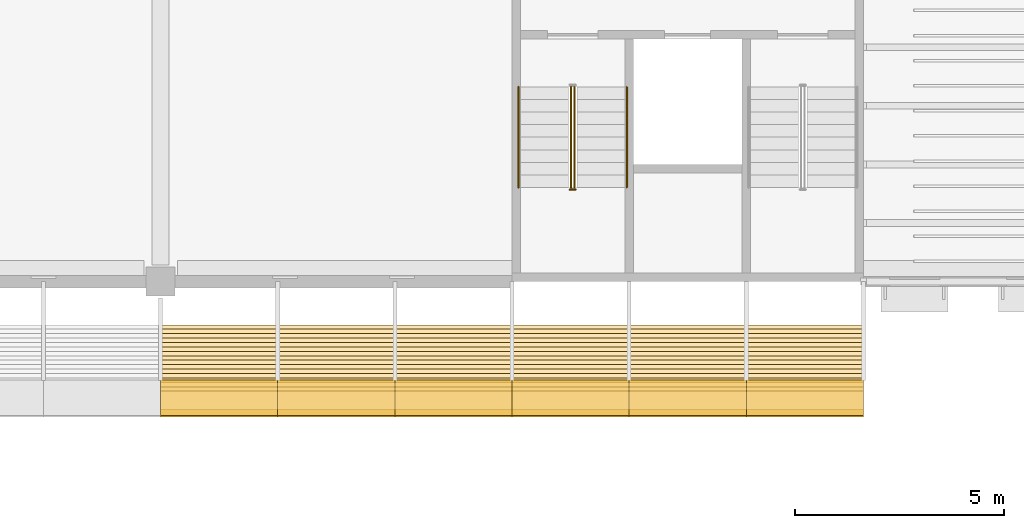
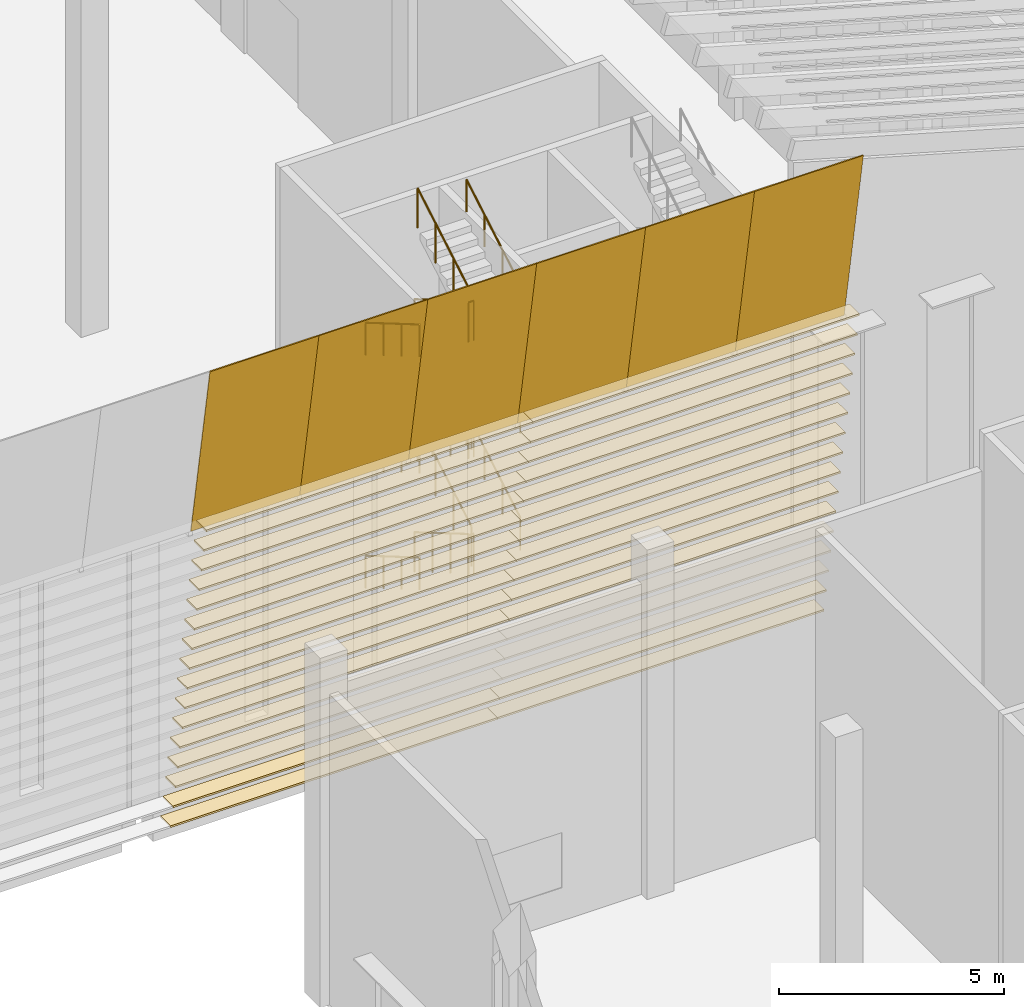
# One storey, part 110 of 114: 38 coverings, 15 railings.
"""IFC4 building model written with IfcOpenShell, lengths in metres."""

from ifc_helpers import new_model, si_unit, direction, frame, origin, origin_2d, place, context, subcontext, project, spatial, polyline, rectangle, circle, outline, extrude, material, layer, layer_set, material_profile, profile_set, type_object, element, save


model = new_model("IFC4")

# Units and contexts
model_context = context("Model", 3, precision=1e-05, world=origin(), true_north=direction((0.0, 1.0)))
body_context = subcontext(model_context, "Body", "Model", "MODEL_VIEW")
ifc_project = project(units=[si_unit("LENGTHUNIT", "METRE"), si_unit("AREAUNIT", "SQUARE_METRE"), si_unit("VOLUMEUNIT", "CUBIC_METRE"), si_unit("PLANEANGLEUNIT", "RADIAN"), si_unit("MASSUNIT", "GRAM", prefix="KILO")], contexts=[model_context])

# Site, building, storey
site_placement = place(None, origin())
site = spatial("IfcSite", under=ifc_project, at=site_placement, CompositionType="ELEMENT")
building_placement = place(site_placement, origin())
building = spatial("IfcBuilding", under=site, at=building_placement, Name="Almond Square Museum", CompositionType="ELEMENT")
storey_placement = place(building_placement, frame((0.0, 0.0, 10.5)))
storey = spatial("IfcBuildingStorey", under=building, at=storey_placement, Name="L02", CompositionType="ELEMENT", Elevation=10.5)

# Coverings
ifc_material_1 = material(Name="Cedar timber louvre board", Category="wood")
ifc_material_profile = material_profile(ifc_material_1, rectangle(XDim=0.449951171875, YDim=0.050048828125, at=origin_2d()))
ifc_profile_set = profile_set([ifc_material_profile], Name="Cedar timber louvre board")
covering_type_1 = type_object("IfcCoveringType", Name="Louvre board 450 x 50", PredefinedType="CLADDING", material=ifc_profile_set)
covering_1_placement = place(storey_placement, frame((132.0, 49.141357421875, 0.39990234375), z_axis=(1.0, 0.0, 0.0), x_axis=(0.0, 1.0, 0.0)))
element("IfcCovering", 1, at=covering_1_placement, inside=storey, type_object=covering_type_1, Name="Louvre board S07.04", PredefinedType="CLADDING", context=body_context, shape_type="SweptSolid", body=[
    extrude(rectangle(XDim=0.449951171875, YDim=0.050048828125, at=origin_2d()), origin(), (0.0, 0.0, 1.0), 8.39990234375),
])
covering_2_placement = place(storey_placement, frame((140.39990234375, 49.141357421875, 0.39990234375), z_axis=(1.0, 0.0, 0.0), x_axis=(0.0, 1.0, 0.0)))
element("IfcCovering", 2, at=covering_2_placement, inside=storey, type_object=covering_type_1, Name="Louvre board S07.05", PredefinedType="CLADDING", context=body_context, shape_type="SweptSolid", body=[
    extrude(rectangle(XDim=0.449951171875, YDim=0.050048828125, at=origin_2d()), origin(), (0.0, 0.0, 1.0), 8.400146484375),
])
covering_3_placement = place(storey_placement, frame((132.0, 49.03564453125, 1.0), z_axis=(1.0, 0.0, 0.0), x_axis=(0.0, 1.0, 0.0)))
element("IfcCovering", 3, at=covering_3_placement, inside=storey, type_object=covering_type_1, Name="Louvre board S08.04", PredefinedType="CLADDING", context=body_context, shape_type="SweptSolid", body=[
    extrude(rectangle(XDim=0.449951171875, YDim=0.050048828125, at=origin_2d()), origin(), (0.0, 0.0, 1.0), 8.39990234375),
])
covering_4_placement = place(storey_placement, frame((140.39990234375, 49.03564453125, 1.0), z_axis=(1.0, 0.0, 0.0), x_axis=(0.0, 1.0, 0.0)))
element("IfcCovering", 4, at=covering_4_placement, inside=storey, type_object=covering_type_1, Name="Louvre board S08.05", PredefinedType="CLADDING", context=body_context, shape_type="SweptSolid", body=[
    extrude(rectangle(XDim=0.449951171875, YDim=0.050048828125, at=origin_2d()), origin(), (0.0, 0.0, 1.0), 8.400146484375),
])
covering_5_placement = place(storey_placement, frame((132.0, 48.9296875, 1.60009765625), z_axis=(1.0, 0.0, 0.0), x_axis=(0.0, 1.0, 0.0)))
element("IfcCovering", 5, at=covering_5_placement, inside=storey, type_object=covering_type_1, Name="Louvre board S09.04", PredefinedType="CLADDING", context=body_context, shape_type="SweptSolid", body=[
    extrude(rectangle(XDim=0.449951171875, YDim=0.050048828125, at=origin_2d()), origin(), (0.0, 0.0, 1.0), 8.39990234375),
])
covering_6_placement = place(storey_placement, frame((140.39990234375, 48.9296875, 1.60009765625), z_axis=(1.0, 0.0, 0.0), x_axis=(0.0, 1.0, 0.0)))
element("IfcCovering", 6, at=covering_6_placement, inside=storey, type_object=covering_type_1, Name="Louvre board S09.05", PredefinedType="CLADDING", context=body_context, shape_type="SweptSolid", body=[
    extrude(rectangle(XDim=0.449951171875, YDim=0.050048828125, at=origin_2d()), origin(), (0.0, 0.0, 1.0), 8.400146484375),
])
covering_7_placement = place(storey_placement, frame((132.0, 48.823974609375, 2.199951171875), z_axis=(1.0, 0.0, 0.0), x_axis=(0.0, 1.0, 0.0)))
element("IfcCovering", 7, at=covering_7_placement, inside=storey, type_object=covering_type_1, Name="Louvre board S10.04", PredefinedType="CLADDING", context=body_context, shape_type="SweptSolid", body=[
    extrude(rectangle(XDim=0.449951171875, YDim=0.050048828125, at=origin_2d()), origin(), (0.0, 0.0, 1.0), 8.39990234375),
])
covering_8_placement = place(storey_placement, frame((140.39990234375, 48.823974609375, 2.199951171875), z_axis=(1.0, 0.0, 0.0), x_axis=(0.0, 1.0, 0.0)))
element("IfcCovering", 8, at=covering_8_placement, inside=storey, type_object=covering_type_1, Name="Louvre board S10.05", PredefinedType="CLADDING", context=body_context, shape_type="SweptSolid", body=[
    extrude(rectangle(XDim=0.449951171875, YDim=0.050048828125, at=origin_2d()), origin(), (0.0, 0.0, 1.0), 8.400146484375),
])
covering_9_placement = place(storey_placement, frame((132.0, 48.71826171875, 2.800048828125), z_axis=(1.0, 0.0, 0.0), x_axis=(0.0, 1.0, 0.0)))
element("IfcCovering", 9, at=covering_9_placement, inside=storey, type_object=covering_type_1, Name="Louvre board S11.04", PredefinedType="CLADDING", context=body_context, shape_type="SweptSolid", body=[
    extrude(rectangle(XDim=0.449951171875, YDim=0.050048828125, at=origin_2d()), origin(), (0.0, 0.0, 1.0), 8.39990234375),
])
covering_10_placement = place(storey_placement, frame((140.39990234375, 48.71826171875, 2.800048828125), z_axis=(1.0, 0.0, 0.0), x_axis=(0.0, 1.0, 0.0)))
element("IfcCovering", 10, at=covering_10_placement, inside=storey, type_object=covering_type_1, Name="Louvre board S11.05", PredefinedType="CLADDING", context=body_context, shape_type="SweptSolid", body=[
    extrude(rectangle(XDim=0.449951171875, YDim=0.050048828125, at=origin_2d()), origin(), (0.0, 0.0, 1.0), 8.400146484375),
])
covering_11_placement = place(storey_placement, frame((132.0, 48.6123046875, 3.39990234375), z_axis=(1.0, 0.0, 0.0), x_axis=(0.0, 1.0, 0.0)))
element("IfcCovering", 11, at=covering_11_placement, inside=storey, type_object=covering_type_1, Name="Louvre board S12.04", PredefinedType="CLADDING", context=body_context, shape_type="SweptSolid", body=[
    extrude(rectangle(XDim=0.449951171875, YDim=0.050048828125, at=origin_2d()), origin(), (0.0, 0.0, 1.0), 8.39990234375),
])
covering_12_placement = place(storey_placement, frame((140.39990234375, 48.6123046875, 3.39990234375), z_axis=(1.0, 0.0, 0.0), x_axis=(0.0, 1.0, 0.0)))
element("IfcCovering", 12, at=covering_12_placement, inside=storey, type_object=covering_type_1, Name="Louvre board S12.05", PredefinedType="CLADDING", context=body_context, shape_type="SweptSolid", body=[
    extrude(rectangle(XDim=0.449951171875, YDim=0.050048828125, at=origin_2d()), origin(), (0.0, 0.0, 1.0), 8.400146484375),
])
covering_13_placement = place(storey_placement, frame((132.0, 48.506591796875, 4.0), z_axis=(1.0, 0.0, 0.0), x_axis=(0.0, 1.0, 0.0)))
element("IfcCovering", 13, at=covering_13_placement, inside=storey, type_object=covering_type_1, Name="Louvre board S13.04", PredefinedType="CLADDING", context=body_context, shape_type="SweptSolid", body=[
    extrude(rectangle(XDim=0.449951171875, YDim=0.050048828125, at=origin_2d()), origin(), (0.0, 0.0, 1.0), 8.39990234375),
])
covering_14_placement = place(storey_placement, frame((140.39990234375, 48.506591796875, 4.0), z_axis=(1.0, 0.0, 0.0), x_axis=(0.0, 1.0, 0.0)))
element("IfcCovering", 14, at=covering_14_placement, inside=storey, type_object=covering_type_1, Name="Louvre board S13.05", PredefinedType="CLADDING", context=body_context, shape_type="SweptSolid", body=[
    extrude(rectangle(XDim=0.449951171875, YDim=0.050048828125, at=origin_2d()), origin(), (0.0, 0.0, 1.0), 8.400146484375),
])
covering_15_placement = place(storey_placement, frame((132.0, 48.40087890625, 4.60009765625), z_axis=(1.0, 0.0, 0.0), x_axis=(0.0, 1.0, 0.0)))
element("IfcCovering", 15, at=covering_15_placement, inside=storey, type_object=covering_type_1, Name="Louvre board S14.04", PredefinedType="CLADDING", context=body_context, shape_type="SweptSolid", body=[
    extrude(rectangle(XDim=0.449951171875, YDim=0.050048828125, at=origin_2d()), origin(), (0.0, 0.0, 1.0), 8.39990234375),
])
covering_16_placement = place(storey_placement, frame((140.39990234375, 48.40087890625, 4.60009765625), z_axis=(1.0, 0.0, 0.0), x_axis=(0.0, 1.0, 0.0)))
element("IfcCovering", 16, at=covering_16_placement, inside=storey, type_object=covering_type_1, Name="Louvre board S14.05", PredefinedType="CLADDING", context=body_context, shape_type="SweptSolid", body=[
    extrude(rectangle(XDim=0.449951171875, YDim=0.050048828125, at=origin_2d()), origin(), (0.0, 0.0, 1.0), 8.400146484375),
])
covering_17_placement = place(storey_placement, frame((132.0, 48.294921875, 5.199951171875), z_axis=(1.0, 0.0, 0.0), x_axis=(0.0, 1.0, 0.0)))
element("IfcCovering", 17, at=covering_17_placement, inside=storey, type_object=covering_type_1, Name="Louvre board S15.04", PredefinedType="CLADDING", context=body_context, shape_type="SweptSolid", body=[
    extrude(rectangle(XDim=0.449951171875, YDim=0.050048828125, at=origin_2d()), origin(), (0.0, 0.0, 1.0), 8.39990234375),
])
covering_18_placement = place(storey_placement, frame((140.39990234375, 48.294921875, 5.199951171875), z_axis=(1.0, 0.0, 0.0), x_axis=(0.0, 1.0, 0.0)))
element("IfcCovering", 18, at=covering_18_placement, inside=storey, type_object=covering_type_1, Name="Louvre board S15.05", PredefinedType="CLADDING", context=body_context, shape_type="SweptSolid", body=[
    extrude(rectangle(XDim=0.449951171875, YDim=0.050048828125, at=origin_2d()), origin(), (0.0, 0.0, 1.0), 8.400146484375),
])
covering_19_placement = place(storey_placement, frame((132.0, 48.189208984375, 5.800048828125), z_axis=(1.0, 0.0, 0.0), x_axis=(0.0, 1.0, 0.0)))
element("IfcCovering", 19, at=covering_19_placement, inside=storey, type_object=covering_type_1, Name="Louvre board S16.04", PredefinedType="CLADDING", context=body_context, shape_type="SweptSolid", body=[
    extrude(rectangle(XDim=0.449951171875, YDim=0.050048828125, at=origin_2d()), origin(), (0.0, 0.0, 1.0), 8.39990234375),
])
covering_20_placement = place(storey_placement, frame((140.39990234375, 48.189208984375, 5.800048828125), z_axis=(1.0, 0.0, 0.0), x_axis=(0.0, 1.0, 0.0)))
element("IfcCovering", 20, at=covering_20_placement, inside=storey, type_object=covering_type_1, Name="Louvre board S16.05", PredefinedType="CLADDING", context=body_context, shape_type="SweptSolid", body=[
    extrude(rectangle(XDim=0.449951171875, YDim=0.050048828125, at=origin_2d()), origin(), (0.0, 0.0, 1.0), 8.400146484375),
])
covering_21_placement = place(storey_placement, frame((132.0, 48.08349609375, 6.39990234375), z_axis=(1.0, 0.0, 0.0), x_axis=(0.0, 1.0, 0.0)))
element("IfcCovering", 21, at=covering_21_placement, inside=storey, type_object=covering_type_1, Name="Louvre board S17.04", PredefinedType="CLADDING", context=body_context, shape_type="SweptSolid", body=[
    extrude(rectangle(XDim=0.449951171875, YDim=0.050048828125, at=origin_2d()), origin(), (0.0, 0.0, 1.0), 8.39990234375),
])
covering_22_placement = place(storey_placement, frame((140.39990234375, 48.08349609375, 6.39990234375), z_axis=(1.0, 0.0, 0.0), x_axis=(0.0, 1.0, 0.0)))
element("IfcCovering", 22, at=covering_22_placement, inside=storey, type_object=covering_type_1, Name="Louvre board S17.05", PredefinedType="CLADDING", context=body_context, shape_type="SweptSolid", body=[
    extrude(rectangle(XDim=0.449951171875, YDim=0.050048828125, at=origin_2d()), origin(), (0.0, 0.0, 1.0), 8.400146484375),
])
covering_23_placement = place(storey_placement, frame((132.0, 47.9775390625, 7.0), z_axis=(1.0, 0.0, 0.0), x_axis=(0.0, 1.0, 0.0)))
element("IfcCovering", 23, at=covering_23_placement, inside=storey, type_object=covering_type_1, Name="Louvre board S18.04", PredefinedType="CLADDING", context=body_context, shape_type="SweptSolid", body=[
    extrude(rectangle(XDim=0.449951171875, YDim=0.050048828125, at=origin_2d()), origin(), (0.0, 0.0, 1.0), 8.39990234375),
])
covering_24_placement = place(storey_placement, frame((140.39990234375, 47.9775390625, 7.0), z_axis=(1.0, 0.0, 0.0), x_axis=(0.0, 1.0, 0.0)))
element("IfcCovering", 24, at=covering_24_placement, inside=storey, type_object=covering_type_1, Name="Louvre board S18.05", PredefinedType="CLADDING", context=body_context, shape_type="SweptSolid", body=[
    extrude(rectangle(XDim=0.449951171875, YDim=0.050048828125, at=origin_2d()), origin(), (0.0, 0.0, 1.0), 8.400146484375),
])
covering_25_placement = place(storey_placement, frame((132.0, 47.871826171875, 7.60009765625), z_axis=(1.0, 0.0, 0.0), x_axis=(0.0, 1.0, 0.0)))
element("IfcCovering", 25, at=covering_25_placement, inside=storey, type_object=covering_type_1, Name="Louvre board S19.04", PredefinedType="CLADDING", context=body_context, shape_type="SweptSolid", body=[
    extrude(rectangle(XDim=0.449951171875, YDim=0.050048828125, at=origin_2d()), origin(), (0.0, 0.0, 1.0), 8.39990234375),
])
covering_26_placement = place(storey_placement, frame((140.39990234375, 47.871826171875, 7.60009765625), z_axis=(1.0, 0.0, 0.0), x_axis=(0.0, 1.0, 0.0)))
element("IfcCovering", 26, at=covering_26_placement, inside=storey, type_object=covering_type_1, Name="Louvre board S19.05", PredefinedType="CLADDING", context=body_context, shape_type="SweptSolid", body=[
    extrude(rectangle(XDim=0.449951171875, YDim=0.050048828125, at=origin_2d()), origin(), (0.0, 0.0, 1.0), 8.400146484375),
])
covering_27_placement = place(storey_placement, frame((132.0, 47.76611328125, 8.199951171875), z_axis=(1.0, 0.0, 0.0), x_axis=(0.0, 1.0, 0.0)))
element("IfcCovering", 27, at=covering_27_placement, inside=storey, type_object=covering_type_1, Name="Louvre board S20.04", PredefinedType="CLADDING", context=body_context, shape_type="SweptSolid", body=[
    extrude(rectangle(XDim=0.449951171875, YDim=0.050048828125, at=origin_2d()), origin(), (0.0, 0.0, 1.0), 8.39990234375),
])
covering_28_placement = place(storey_placement, frame((140.39990234375, 47.76611328125, 8.199951171875), z_axis=(1.0, 0.0, 0.0), x_axis=(0.0, 1.0, 0.0)))
element("IfcCovering", 28, at=covering_28_placement, inside=storey, type_object=covering_type_1, Name="Louvre board S20.05", PredefinedType="CLADDING", context=body_context, shape_type="SweptSolid", body=[
    extrude(rectangle(XDim=0.449951171875, YDim=0.050048828125, at=origin_2d()), origin(), (0.0, 0.0, 1.0), 8.400146484375),
])
covering_29_placement = place(storey_placement, frame((132.0, 47.66015625, 8.800048828125), z_axis=(1.0, 0.0, 0.0), x_axis=(0.0, 1.0, 0.0)))
element("IfcCovering", 29, at=covering_29_placement, inside=storey, type_object=covering_type_1, Name="Louvre board S21.04", PredefinedType="CLADDING", context=body_context, shape_type="SweptSolid", body=[
    extrude(rectangle(XDim=0.449951171875, YDim=0.050048828125, at=origin_2d()), origin(), (0.0, 0.0, 1.0), 8.39990234375),
])
covering_30_placement = place(storey_placement, frame((140.39990234375, 47.66015625, 8.800048828125), z_axis=(1.0, 0.0, 0.0), x_axis=(0.0, 1.0, 0.0)))
element("IfcCovering", 30, at=covering_30_placement, inside=storey, type_object=covering_type_1, Name="Louvre board S21.05", PredefinedType="CLADDING", context=body_context, shape_type="SweptSolid", body=[
    extrude(rectangle(XDim=0.449951171875, YDim=0.050048828125, at=origin_2d()), origin(), (0.0, 0.0, 1.0), 8.400146484375),
])
covering_31_placement = place(storey_placement, frame((132.0, 47.554443359375, 9.39990234375), z_axis=(1.0, 0.0, 0.0), x_axis=(0.0, 1.0, 0.0)))
element("IfcCovering", 31, at=covering_31_placement, inside=storey, type_object=covering_type_1, Name="Louvre board S22.04", PredefinedType="CLADDING", context=body_context, shape_type="SweptSolid", body=[
    extrude(rectangle(XDim=0.449951171875, YDim=0.050048828125, at=origin_2d()), origin(), (0.0, 0.0, 1.0), 8.39990234375),
])
covering_32_placement = place(storey_placement, frame((140.39990234375, 47.554443359375, 9.39990234375), z_axis=(1.0, 0.0, 0.0), x_axis=(0.0, 1.0, 0.0)))
element("IfcCovering", 32, at=covering_32_placement, inside=storey, type_object=covering_type_1, Name="Louvre board S22.05", PredefinedType="CLADDING", context=body_context, shape_type="SweptSolid", body=[
    extrude(rectangle(XDim=0.449951171875, YDim=0.050048828125, at=origin_2d()), origin(), (0.0, 0.0, 1.0), 8.400146484375),
])
ifc_material_2 = material(Name="Cedar timber sheathing panel", Category="wood")
ifc_layer = layer(ifc_material_2, 0.030029296875)
ifc_layer_set = layer_set([ifc_layer], Name="Cedar timber sheathing panel")
covering_type_2 = type_object("IfcCoveringType", Name="Louvre rain-screen backing panel 30", PredefinedType="CLADDING", material=ifc_layer_set)
for number, where, z_axis, x_axis, name in (
    (33, (132.0, 48.035400390625, 8.969970703125), (0.0, -0.984808947576, -0.173641402823), (1.0, 0.0, 0.0), "Louvre rain-screen backing panel S10.05"),
    (34, (134.800048828125, 48.035400390625, 8.969970703125), (0.0, -0.984808947576, -0.173641402823), (1.0, 0.0, 0.0), "Louvre rain-screen backing panel S11.05"),
):
    element("IfcCovering", number, at=place(storey_placement, frame(where, z_axis=z_axis, x_axis=x_axis)), inside=storey, type_object=covering_type_2, Name=name, PredefinedType="CLADDING", context=body_context, shape_type="SweptSolid", body=[
        extrude(outline(polyline([(0.0, 0.0), (2.800048828125, 0.0), (2.800048828125, 4.935076426587713), (0.0, 4.935076426587713), (0.0, 0.0)])), frame((0.0, 0.0, -0.01513671875)), (0.0, 0.0, 1.0), 0.030029296875),
    ])
covering_33_placement = place(storey_placement, frame((137.60009765625, 48.035400390625, 8.969970703125), z_axis=(0.0, -0.984808947576, -0.173641402823), x_axis=(1.0, 0.0, 0.0)))
element("IfcCovering", 35, at=covering_33_placement, inside=storey, type_object=covering_type_2, Name="Louvre rain-screen backing panel S12.05", PredefinedType="CLADDING", context=body_context, shape_type="SweptSolid", body=[
    extrude(outline(polyline([(0.0, 0.0), (2.7998046875, 0.0), (2.7998046875, 4.935076426587713), (0.0, 4.935076426587713), (0.0, 0.0)])), frame((0.0, 0.0, -0.01513671875)), (0.0, 0.0, 1.0), 0.030029296875),
])
for number, where, z_axis, x_axis, name in (
    (36, (140.39990234375, 48.035400390625, 8.969970703125), (0.0, -0.984808947576, -0.173641402823), (1.0, 0.0, 0.0), "Louvre rain-screen backing panel S13.05"),
    (37, (143.199951171875, 48.035400390625, 8.969970703125), (0.0, -0.984808947576, -0.173641402823), (1.0, 0.0, 0.0), "Louvre rain-screen backing panel S14.05"),
    (38, (146.0, 48.035400390625, 8.969970703125), (0.0, -0.984808947576, -0.173641402823), (1.0, 0.0, 0.0), "Louvre rain-screen backing panel S15.05"),
):
    element("IfcCovering", number, at=place(storey_placement, frame(where, z_axis=z_axis, x_axis=x_axis)), inside=storey, type_object=covering_type_2, Name=name, PredefinedType="CLADDING", context=body_context, shape_type="SweptSolid", body=[
        extrude(outline(polyline([(0.0, 0.0), (2.800048828125, 0.0), (2.800048828125, 4.935076426587713), (0.0, 4.935076426587713), (0.0, 0.0)])), frame((0.0, 0.0, -0.01513671875)), (0.0, 0.0, 1.0), 0.030029296875),
    ])

# Railings
ifc_material_3 = material(Name="Stainless steel and laminated glass", Category="steel")
railing_type_1 = type_object("IfcRailingType", Name="Stair guard 1100 steel and glass", PredefinedType="GUARDRAIL", material=ifc_material_3)
railing_1_placement = place(storey_placement, frame((141.81005859375, 55.050048828125, 0.176025390625)))
element("IfcRailing", 39, at=railing_1_placement, inside=storey, type_object=railing_type_1, Name="L02 ST-03 stair guard 1", PredefinedType="GUARDRAIL", context=body_context, shape_type="SweptSolid", body=[
    extrude(circle(Radius=0.02392578125, at=origin_2d()), frame((0.0, 0.0, 1.076171875), z_axis=(0.0, -0.862659684245, 0.505784805207), x_axis=(1.0, 0.0, 0.0)), (0.0, 0.0, 1.0), 2.7822265625),
    extrude(circle(Radius=0.02099609375, at=origin_2d()), origin(), (0.0, 0.0, 1.0), 1.052001953125),
    extrude(circle(Radius=0.02099609375, at=origin_2d()), frame((0.0, -0.800048828125, 0.468994140625)), (0.0, 0.0, 1.0), 1.052001953125),
    extrude(circle(Radius=0.02099609375, at=origin_2d()), frame((0.0, -1.60009765625, 0.938232421875)), (0.0, 0.0, 1.0), 1.052001953125),
    extrude(circle(Radius=0.02099609375, at=origin_2d()), frame((0.0, -2.400146484375, 1.4072265625)), (0.0, 0.0, 1.0), 1.052001953125),
])
railing_2_placement = place(storey_placement, frame((141.780029296875, 52.60009765625, 1.583251953125)))
element("IfcRailing", 40, at=railing_2_placement, inside=storey, type_object=railing_type_1, Name="L02 ST-03 stair guard 2", PredefinedType="GUARDRAIL", context=body_context, shape_type="SweptSolid", body=[
    extrude(circle(Radius=0.02392578125, at=origin_2d()), frame((0.0, 0.0, 1.076171875), z_axis=(1.0, 0.0, 0.0), x_axis=(0.0, 1.0, 0.0)), (0.0, 0.0, 1.0), 0.139892578125),
    extrude(circle(Radius=0.02099609375, at=origin_2d()), origin(), (0.0, 0.0, 1.0), 1.052001953125),
    extrude(circle(Radius=0.02099609375, at=origin_2d()), frame((0.139892578125, 0.0, 0.0)), (0.0, 0.0, 1.0), 1.052001953125),
])
railing_3_placement = place(storey_placement, frame((141.889892578125, 52.64990234375, 1.75927734375)))
element("IfcRailing", 41, at=railing_3_placement, inside=storey, type_object=railing_type_1, Name="L02 ST-03 stair guard 3", PredefinedType="GUARDRAIL", context=body_context, shape_type="SweptSolid", body=[
    extrude(circle(Radius=0.02392578125, at=origin_2d()), frame((0.0, 0.0, 1.076171875), z_axis=(0.0, 0.862621396848, 0.505850102007), x_axis=(-1.0, 0.0, 0.0)), (0.0, 0.0, 1.0), 2.782470703125),
    extrude(circle(Radius=0.02099609375, at=origin_2d()), origin(), (0.0, 0.0, 1.0), 1.052001953125),
    extrude(circle(Radius=0.02099609375, at=origin_2d()), frame((0.0, 0.800048828125, 0.46923828125)), (0.0, 0.0, 1.0), 1.052001953125),
    extrude(circle(Radius=0.02099609375, at=origin_2d()), frame((0.0, 1.60009765625, 0.938232421875)), (0.0, 0.0, 1.0), 1.052001953125),
    extrude(circle(Radius=0.02099609375, at=origin_2d()), frame((0.0, 2.400146484375, 1.407470703125)), (0.0, 0.0, 1.0), 1.052001953125),
])
railing_4_placement = place(storey_placement, frame((141.81005859375, 55.050048828125, 3.342529296875)))
element("IfcRailing", 42, at=railing_4_placement, inside=storey, type_object=railing_type_1, Name="L02 ST-03 stair guard 5", PredefinedType="GUARDRAIL", context=body_context, shape_type="SweptSolid", body=[
    extrude(circle(Radius=0.02392578125, at=origin_2d()), frame((0.0, 0.0, 1.076171875), z_axis=(0.0, -0.862621396848, 0.505850102007), x_axis=(1.0, 0.0, 0.0)), (0.0, 0.0, 1.0), 2.782470703125),
    extrude(circle(Radius=0.02099609375, at=origin_2d()), origin(), (0.0, 0.0, 1.0), 1.052001953125),
    extrude(circle(Radius=0.02099609375, at=origin_2d()), frame((0.0, -0.800048828125, 0.46923828125)), (0.0, 0.0, 1.0), 1.052001953125),
    extrude(circle(Radius=0.02099609375, at=origin_2d()), frame((0.0, -1.60009765625, 0.938232421875)), (0.0, 0.0, 1.0), 1.052001953125),
    extrude(circle(Radius=0.02099609375, at=origin_2d()), frame((0.0, -2.400146484375, 1.407470703125)), (0.0, 0.0, 1.0), 1.052001953125),
])
railing_5_placement = place(storey_placement, frame((141.780029296875, 52.60009765625, 4.75)))
element("IfcRailing", 43, at=railing_5_placement, inside=storey, type_object=railing_type_1, Name="L02 ST-03 stair guard 6", PredefinedType="GUARDRAIL", context=body_context, shape_type="SweptSolid", body=[
    extrude(circle(Radius=0.02392578125, at=origin_2d()), frame((0.0, 0.0, 1.076171875), z_axis=(1.0, 0.0, 0.0), x_axis=(0.0, 1.0, 0.0)), (0.0, 0.0, 1.0), 0.139892578125),
    extrude(circle(Radius=0.02099609375, at=origin_2d()), origin(), (0.0, 0.0, 1.0), 1.052001953125),
    extrude(circle(Radius=0.02099609375, at=origin_2d()), frame((0.139892578125, 0.0, 0.0)), (0.0, 0.0, 1.0), 1.052001953125),
])
railing_6_placement = place(storey_placement, frame((141.889892578125, 52.64990234375, 4.926025390625)))
element("IfcRailing", 44, at=railing_6_placement, inside=storey, type_object=railing_type_1, Name="L02 ST-03 stair guard 7", PredefinedType="GUARDRAIL", context=body_context, shape_type="SweptSolid", body=[
    extrude(circle(Radius=0.02392578125, at=origin_2d()), frame((0.0, 0.0, 1.076171875), z_axis=(0.0, 0.862659684245, 0.505784805207), x_axis=(-1.0, 0.0, 0.0)), (0.0, 0.0, 1.0), 2.7822265625),
    extrude(circle(Radius=0.02099609375, at=origin_2d()), origin(), (0.0, 0.0, 1.0), 1.052001953125),
    extrude(circle(Radius=0.02099609375, at=origin_2d()), frame((0.0, 0.800048828125, 0.468994140625)), (0.0, 0.0, 1.0), 1.052001953125),
    extrude(circle(Radius=0.02099609375, at=origin_2d()), frame((0.0, 1.60009765625, 0.938232421875)), (0.0, 0.0, 1.0), 1.052001953125),
    extrude(circle(Radius=0.02099609375, at=origin_2d()), frame((0.0, 2.400146484375, 1.4072265625)), (0.0, 0.0, 1.0), 1.052001953125),
])
railing_7_placement = place(storey_placement, frame((141.81005859375, 55.050048828125, 6.50927734375)))
element("IfcRailing", 45, at=railing_7_placement, inside=storey, type_object=railing_type_1, Name="L02 ST-03 stair guard 9", PredefinedType="GUARDRAIL", context=body_context, shape_type="SweptSolid", body=[
    extrude(circle(Radius=0.02392578125, at=origin_2d()), frame((0.0, 0.0, 1.076171875), z_axis=(0.0, -0.862621396848, 0.505850102007), x_axis=(1.0, 0.0, 0.0)), (0.0, 0.0, 1.0), 2.782470703125),
    extrude(circle(Radius=0.02099609375, at=origin_2d()), origin(), (0.0, 0.0, 1.0), 1.052001953125),
    extrude(circle(Radius=0.02099609375, at=origin_2d()), frame((0.0, -0.800048828125, 0.46923828125)), (0.0, 0.0, 1.0), 1.052001953125),
    extrude(circle(Radius=0.02099609375, at=origin_2d()), frame((0.0, -1.60009765625, 0.938232421875)), (0.0, 0.0, 1.0), 1.052001953125),
    extrude(circle(Radius=0.02099609375, at=origin_2d()), frame((0.0, -2.400146484375, 1.407470703125)), (0.0, 0.0, 1.0), 1.052001953125),
])
railing_8_placement = place(storey_placement, frame((141.780029296875, 52.60009765625, 7.916748046875)))
element("IfcRailing", 46, at=railing_8_placement, inside=storey, type_object=railing_type_1, Name="L02 ST-03 stair guard 10", PredefinedType="GUARDRAIL", context=body_context, shape_type="SweptSolid", body=[
    extrude(circle(Radius=0.02392578125, at=origin_2d()), frame((0.0, 0.0, 1.076171875), z_axis=(1.0, 0.0, 0.0), x_axis=(0.0, 1.0, 0.0)), (0.0, 0.0, 1.0), 0.139892578125),
    extrude(circle(Radius=0.02099609375, at=origin_2d()), origin(), (0.0, 0.0, 1.0), 1.052001953125),
    extrude(circle(Radius=0.02099609375, at=origin_2d()), frame((0.139892578125, 0.0, 0.0)), (0.0, 0.0, 1.0), 1.052001953125),
])
railing_9_placement = place(storey_placement, frame((141.889892578125, 52.64990234375, 8.092529296875)))
element("IfcRailing", 47, at=railing_9_placement, inside=storey, type_object=railing_type_1, Name="L02 ST-03 stair guard 11", PredefinedType="GUARDRAIL", context=body_context, shape_type="SweptSolid", body=[
    extrude(circle(Radius=0.02392578125, at=origin_2d()), frame((0.0, 0.0, 1.076171875), z_axis=(0.0, 0.862621396848, 0.505850102007), x_axis=(-1.0, 0.0, 0.0)), (0.0, 0.0, 1.0), 2.782470703125),
    extrude(circle(Radius=0.02099609375, at=origin_2d()), origin(), (0.0, 0.0, 1.0), 1.052001953125),
    extrude(circle(Radius=0.02099609375, at=origin_2d()), frame((0.0, 0.800048828125, 0.46923828125)), (0.0, 0.0, 1.0), 1.052001953125),
    extrude(circle(Radius=0.02099609375, at=origin_2d()), frame((0.0, 1.60009765625, 0.938232421875)), (0.0, 0.0, 1.0), 1.052001953125),
    extrude(circle(Radius=0.02099609375, at=origin_2d()), frame((0.0, 2.400146484375, 1.407470703125)), (0.0, 0.0, 1.0), 1.052001953125),
])
ifc_material_4 = material(Name="Stainless steel", Category="steel")
railing_type_2 = type_object("IfcRailingType", Name="Stair handrail 900 steel", PredefinedType="HANDRAIL", material=ifc_material_4)
railing_10_placement = place(storey_placement, frame((140.554931640625, 55.050048828125, 0.176025390625)))
element("IfcRailing", 48, at=railing_10_placement, inside=storey, type_object=railing_type_2, Name="L02 ST-03 stair handrail 1", PredefinedType="HANDRAIL", context=body_context, shape_type="SweptSolid", body=[
    extrude(circle(Radius=0.02392578125, at=origin_2d()), frame((0.0, 0.0, 0.8759765625), z_axis=(0.0, -0.862659684245, 0.505784805207), x_axis=(1.0, 0.0, 0.0)), (0.0, 0.0, 1.0), 2.7822265625),
    extrude(circle(Radius=0.02099609375, at=origin_2d()), origin(), (0.0, 0.0, 1.0), 0.851806640625),
    extrude(circle(Radius=0.02099609375, at=origin_2d()), frame((0.0, -0.800048828125, 0.468994140625)), (0.0, 0.0, 1.0), 0.851806640625),
    extrude(circle(Radius=0.02099609375, at=origin_2d()), frame((0.0, -1.60009765625, 0.938232421875)), (0.0, 0.0, 1.0), 0.851806640625),
    extrude(circle(Radius=0.02099609375, at=origin_2d()), frame((0.0, -2.400146484375, 1.4072265625)), (0.0, 0.0, 1.0), 0.851806640625),
])
railing_11_placement = place(storey_placement, frame((143.14501953125, 52.64990234375, 1.75927734375)))
element("IfcRailing", 49, at=railing_11_placement, inside=storey, type_object=railing_type_2, Name="L02 ST-03 stair handrail 2", PredefinedType="HANDRAIL", context=body_context, shape_type="SweptSolid", body=[
    extrude(circle(Radius=0.02392578125, at=origin_2d()), frame((0.0, 0.0, 0.8759765625), z_axis=(0.0, 0.862621396848, 0.505850102007), x_axis=(-1.0, 0.0, 0.0)), (0.0, 0.0, 1.0), 2.782470703125),
    extrude(circle(Radius=0.02099609375, at=origin_2d()), origin(), (0.0, 0.0, 1.0), 0.851806640625),
    extrude(circle(Radius=0.02099609375, at=origin_2d()), frame((0.0, 0.800048828125, 0.46923828125)), (0.0, 0.0, 1.0), 0.851806640625),
    extrude(circle(Radius=0.02099609375, at=origin_2d()), frame((0.0, 1.60009765625, 0.938232421875)), (0.0, 0.0, 1.0), 0.851806640625),
    extrude(circle(Radius=0.02099609375, at=origin_2d()), frame((0.0, 2.400146484375, 1.407470703125)), (0.0, 0.0, 1.0), 0.851806640625),
])
railing_12_placement = place(storey_placement, frame((140.554931640625, 55.050048828125, 3.342529296875)))
element("IfcRailing", 50, at=railing_12_placement, inside=storey, type_object=railing_type_2, Name="L02 ST-03 stair handrail 3", PredefinedType="HANDRAIL", context=body_context, shape_type="SweptSolid", body=[
    extrude(circle(Radius=0.02392578125, at=origin_2d()), frame((0.0, 0.0, 0.8759765625), z_axis=(0.0, -0.862621396848, 0.505850102007), x_axis=(1.0, 0.0, 0.0)), (0.0, 0.0, 1.0), 2.782470703125),
    extrude(circle(Radius=0.02099609375, at=origin_2d()), origin(), (0.0, 0.0, 1.0), 0.851806640625),
    extrude(circle(Radius=0.02099609375, at=origin_2d()), frame((0.0, -0.800048828125, 0.46923828125)), (0.0, 0.0, 1.0), 0.851806640625),
    extrude(circle(Radius=0.02099609375, at=origin_2d()), frame((0.0, -1.60009765625, 0.938232421875)), (0.0, 0.0, 1.0), 0.851806640625),
    extrude(circle(Radius=0.02099609375, at=origin_2d()), frame((0.0, -2.400146484375, 1.407470703125)), (0.0, 0.0, 1.0), 0.851806640625),
])
railing_13_placement = place(storey_placement, frame((143.14501953125, 52.64990234375, 4.926025390625)))
element("IfcRailing", 51, at=railing_13_placement, inside=storey, type_object=railing_type_2, Name="L02 ST-03 stair handrail 4", PredefinedType="HANDRAIL", context=body_context, shape_type="SweptSolid", body=[
    extrude(circle(Radius=0.02392578125, at=origin_2d()), frame((0.0, 0.0, 0.8759765625), z_axis=(0.0, 0.862659684245, 0.505784805207), x_axis=(-1.0, 0.0, 0.0)), (0.0, 0.0, 1.0), 2.7822265625),
    extrude(circle(Radius=0.02099609375, at=origin_2d()), origin(), (0.0, 0.0, 1.0), 0.851806640625),
    extrude(circle(Radius=0.02099609375, at=origin_2d()), frame((0.0, 0.800048828125, 0.468994140625)), (0.0, 0.0, 1.0), 0.851806640625),
    extrude(circle(Radius=0.02099609375, at=origin_2d()), frame((0.0, 1.60009765625, 0.938232421875)), (0.0, 0.0, 1.0), 0.851806640625),
    extrude(circle(Radius=0.02099609375, at=origin_2d()), frame((0.0, 2.400146484375, 1.4072265625)), (0.0, 0.0, 1.0), 0.851806640625),
])
railing_14_placement = place(storey_placement, frame((140.554931640625, 55.050048828125, 6.50927734375)))
element("IfcRailing", 52, at=railing_14_placement, inside=storey, type_object=railing_type_2, Name="L02 ST-03 stair handrail 5", PredefinedType="HANDRAIL", context=body_context, shape_type="SweptSolid", body=[
    extrude(circle(Radius=0.02392578125, at=origin_2d()), frame((0.0, 0.0, 0.8759765625), z_axis=(0.0, -0.862621396848, 0.505850102007), x_axis=(1.0, 0.0, 0.0)), (0.0, 0.0, 1.0), 2.782470703125),
    extrude(circle(Radius=0.02099609375, at=origin_2d()), origin(), (0.0, 0.0, 1.0), 0.851806640625),
    extrude(circle(Radius=0.02099609375, at=origin_2d()), frame((0.0, -0.800048828125, 0.46923828125)), (0.0, 0.0, 1.0), 0.851806640625),
    extrude(circle(Radius=0.02099609375, at=origin_2d()), frame((0.0, -1.60009765625, 0.938232421875)), (0.0, 0.0, 1.0), 0.851806640625),
    extrude(circle(Radius=0.02099609375, at=origin_2d()), frame((0.0, -2.400146484375, 1.407470703125)), (0.0, 0.0, 1.0), 0.851806640625),
])
railing_15_placement = place(storey_placement, frame((143.14501953125, 52.64990234375, 8.092529296875)))
element("IfcRailing", 53, at=railing_15_placement, inside=storey, type_object=railing_type_2, Name="L02 ST-03 stair handrail 6", PredefinedType="HANDRAIL", context=body_context, shape_type="SweptSolid", body=[
    extrude(circle(Radius=0.02392578125, at=origin_2d()), frame((0.0, 0.0, 0.8759765625), z_axis=(0.0, 0.862621396848, 0.505850102007), x_axis=(-1.0, 0.0, 0.0)), (0.0, 0.0, 1.0), 2.782470703125),
    extrude(circle(Radius=0.02099609375, at=origin_2d()), origin(), (0.0, 0.0, 1.0), 0.851806640625),
    extrude(circle(Radius=0.02099609375, at=origin_2d()), frame((0.0, 0.800048828125, 0.46923828125)), (0.0, 0.0, 1.0), 0.851806640625),
    extrude(circle(Radius=0.02099609375, at=origin_2d()), frame((0.0, 1.60009765625, 0.938232421875)), (0.0, 0.0, 1.0), 0.851806640625),
    extrude(circle(Radius=0.02099609375, at=origin_2d()), frame((0.0, 2.400146484375, 1.407470703125)), (0.0, 0.0, 1.0), 0.851806640625),
])

save(model, "model.ifc")
